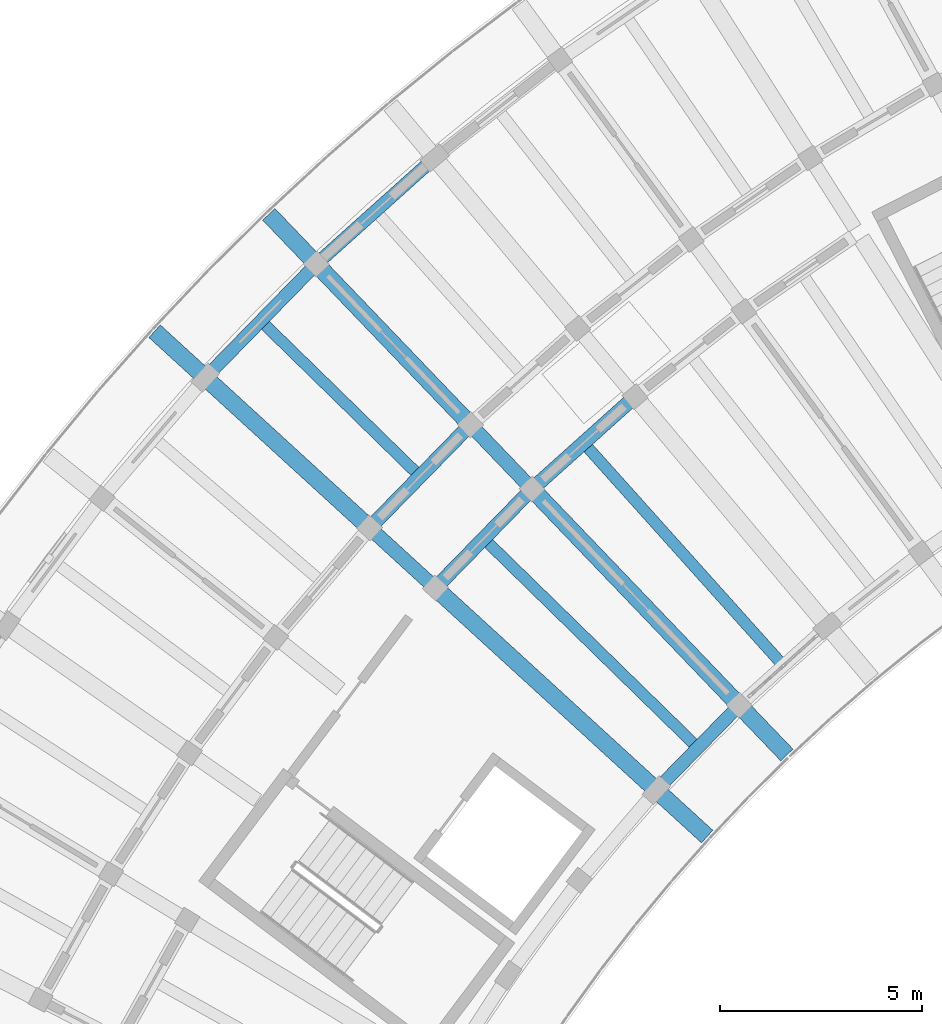
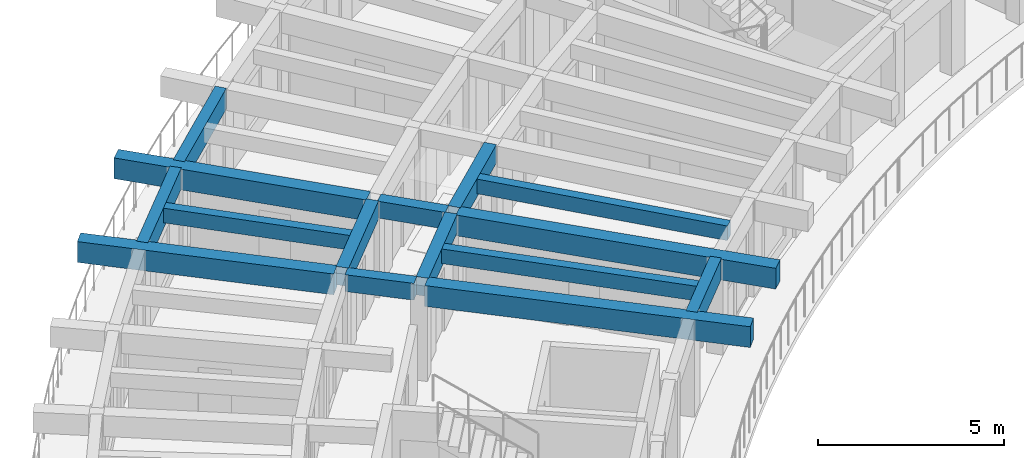
# One storey, part 3 of 19: 15 beams.
"""IFC4 building model written with IfcOpenShell, lengths in metres."""

from ifc_helpers import new_model, si_unit, direction, frame, origin, origin_2d, place, context, subcontext, project, spatial, rectangle, extrude, material, material_profile, profile_set, type_object, element, save


model = new_model("IFC4")

# Units and contexts
model_context = context("Model", 3, precision=1e-05, world=origin(), true_north=direction((0.0, 1.0)))
body_context = subcontext(model_context, "Body", "Model", "MODEL_VIEW")
ifc_project = project(units=[si_unit("LENGTHUNIT", "METRE"), si_unit("AREAUNIT", "SQUARE_METRE"), si_unit("VOLUMEUNIT", "CUBIC_METRE"), si_unit("PLANEANGLEUNIT", "RADIAN"), si_unit("MASSUNIT", "GRAM", prefix="KILO")], contexts=[model_context])

# Site, building, storey
site_placement = place(None, origin())
site = spatial("IfcSite", under=ifc_project, at=site_placement, CompositionType="ELEMENT")
building_placement = place(site_placement, origin())
building = spatial("IfcBuilding", under=site, at=building_placement, Name="Tanwirah Colonnade Gardens", CompositionType="ELEMENT")
storey_placement = place(building_placement, frame((0.0, 0.0, 45.800048828125)))
storey = spatial("IfcBuildingStorey", under=building, at=storey_placement, Name="L13", CompositionType="ELEMENT", Elevation=45.800048828125)

# Beams
ifc_material_1 = material(Name="Precast concrete C40/50", Category="concrete")
ifc_material_profile_1 = material_profile(ifc_material_1, rectangle(XDim=0.35009765625, YDim=0.550048828125, at=origin_2d()), Name="PC-BM 350x550")
ifc_profile_set_1 = profile_set([ifc_material_profile_1], Name="Precast concrete C40/50")
beam_type_1 = type_object("IfcBeamType", Name="BM-PC350A", PredefinedType="BEAM", material=ifc_profile_set_1)
beam_1_placement = place(storey_placement, frame((29.023193359375, 97.74560546875, 2.844970703125), z_axis=(-0.691913735329, 0.721980181766, 0.0), x_axis=(-0.721980181766, -0.691913735329, 0.0)))
element("IfcBeam", 1, at=beam_1_placement, inside=storey, type_object=beam_type_1, Name="Block A L13 Corridor Tie Beam 10", PredefinedType="BEAM", context=body_context, shape_type="SweptSolid", body=[
    extrude(rectangle(XDim=0.35009765625, YDim=0.550048828125, at=origin_2d()), origin(), (0.0, 0.0, 1.0), 1.900146484375),
])
beam_2_placement = place(storey_placement, frame((26.62744140625, 95.29345703125, 2.844970703125), z_axis=(-0.737948361517, 0.674857181732, 0.0), x_axis=(-0.674857181732, -0.737948361517, 0.0)))
element("IfcBeam", 2, at=beam_2_placement, inside=storey, type_object=beam_type_1, Name="Block A L13 Corridor Tie Beam 11", PredefinedType="BEAM", context=body_context, shape_type="SweptSolid", body=[
    extrude(rectangle(XDim=0.35009765625, YDim=0.550048828125, at=origin_2d()), origin(), (0.0, 0.0, 1.0), 1.89990234375),
])
ifc_material_profile_2 = material_profile(ifc_material_1, rectangle(XDim=0.35009765625, YDim=0.60009765625, at=origin_2d()), Name="PC-BM 350x600")
ifc_profile_set_2 = profile_set([ifc_material_profile_2], Name="Precast concrete C40/50")
beam_type_2 = type_object("IfcBeamType", Name="BM-PC350B", PredefinedType="BEAM", material=ifc_profile_set_2)
beam_3_placement = place(storey_placement, frame((31.559814453125, 99.8193359375, 2.820068359375), z_axis=(-0.744429866059, -0.667700662363, 0.0), x_axis=(0.667700662363, -0.744429866059, 0.0)))
element("IfcBeam", 3, at=beam_3_placement, inside=storey, type_object=beam_type_2, Name="Block A L13 Circumferential Beam 9-R1", PredefinedType="BEAM", context=body_context, shape_type="SweptSolid", body=[
    extrude(rectangle(XDim=0.35009765625, YDim=0.60009765625, at=origin_2d()), origin(), (0.0, 0.0, 1.0), 3.1181640625),
])
beam_4_placement = place(storey_placement, frame((29.02197265625, 97.52978515625, 2.820068359375), z_axis=(-0.698837366631, -0.715280598787, 0.0), x_axis=(0.715280598787, -0.698837366631, 0.0)))
element("IfcBeam", 4, at=beam_4_placement, inside=storey, type_object=beam_type_2, Name="Block A L13 Circumferential Beam 10-R1", PredefinedType="BEAM", context=body_context, shape_type="SweptSolid", body=[
    extrude(rectangle(XDim=0.35009765625, YDim=0.60009765625, at=origin_2d()), origin(), (0.0, 0.0, 1.0), 3.117919921875),
])
beam_5_placement = place(storey_placement, frame((27.5, 99.118408203125, 2.820068359375), z_axis=(-0.698829447339, -0.71528833594, 0.0), x_axis=(0.71528833594, -0.698829447339, 0.0)))
element("IfcBeam", 5, at=beam_5_placement, inside=storey, type_object=beam_type_2, Name="Block A L13 Circumferential Beam 10-R2", PredefinedType="BEAM", context=body_context, shape_type="SweptSolid", body=[
    extrude(rectangle(XDim=0.35009765625, YDim=0.60009765625, at=origin_2d()), origin(), (0.0, 0.0, 1.0), 3.263427734375),
])
ifc_material_2 = material(Name="Precast concrete C45/55", Category="concrete")
ifc_material_profile_3 = material_profile(ifc_material_2, rectangle(XDim=0.419921875, YDim=0.679931640625, at=origin_2d()), Name="PC-BM 420x680")
ifc_profile_set_3 = profile_set([ifc_material_profile_3], Name="Precast concrete C45/55")
beam_type_3 = type_object("IfcBeamType", Name="BM-PC420", PredefinedType="BEAM", material=ifc_profile_set_3)
beam_6_placement = place(storey_placement, frame((29.230712890625, 97.52880859375, 2.780029296875), z_axis=(0.691860926595, -0.722030787606, 0.0), x_axis=(0.722030787606, 0.691860926595, 0.0)))
element("IfcBeam", 6, at=beam_6_placement, inside=storey, type_object=beam_type_3, Name="Block A L13 Inner Radial Precast Girder 10", PredefinedType="BEAM", context=body_context, shape_type="SweptSolid", body=[
    extrude(rectangle(XDim=0.419921875, YDim=0.679931640625, at=origin_2d()), origin(), (0.0, 0.0, 1.0), 8.949951171875),
])
beam_7_placement = place(storey_placement, frame((27.5009765625, 99.333984375, 2.780029296875), z_axis=(-0.691864746793, 0.722027127015, 0.0), x_axis=(-0.722027127015, -0.691864746793, 0.0)))
element("IfcBeam", 7, at=beam_7_placement, inside=storey, type_object=beam_type_3, Name="Block A L13 Outer Radial Precast Girder 10", PredefinedType="BEAM", context=body_context, shape_type="SweptSolid", body=[
    extrude(rectangle(XDim=0.419921875, YDim=0.679931640625, at=origin_2d()), origin(), (0.0, 0.0, 1.0), 7.050048828125),
])
beam_8_placement = place(storey_placement, frame((26.848876953125, 95.091064453125, 2.780029296875), z_axis=(0.737937205818, -0.674869380154, 0.0), x_axis=(0.674869380154, 0.737937205818, 0.0)))
element("IfcBeam", 8, at=beam_8_placement, inside=storey, type_object=beam_type_3, Name="Block A L13 Inner Radial Precast Girder 11", PredefinedType="BEAM", context=body_context, shape_type="SweptSolid", body=[
    extrude(rectangle(XDim=0.419921875, YDim=0.679931640625, at=origin_2d()), origin(), (0.0, 0.0, 1.0), 8.949951171875),
])
beam_9_placement = place(storey_placement, frame((25.004150390625, 96.7783203125, 2.780029296875), z_axis=(-0.737934199263, 0.674872667663, 0.0), x_axis=(-0.674872667663, -0.737934199263, 0.0)))
element("IfcBeam", 9, at=beam_9_placement, inside=storey, type_object=beam_type_3, Name="Block A L13 Outer Radial Precast Girder 11", PredefinedType="BEAM", context=body_context, shape_type="SweptSolid", body=[
    extrude(rectangle(XDim=0.419921875, YDim=0.679931640625, at=origin_2d()), origin(), (0.0, 0.0, 1.0), 7.050048828125),
])
ifc_material_profile_4 = material_profile(ifc_material_1, rectangle(XDim=0.280029296875, YDim=0.47998046875, at=origin_2d()), Name="PC-JST 280x480")
ifc_profile_set_4 = profile_set([ifc_material_profile_4], Name="Precast concrete C40/50")
beam_type_4 = type_object("IfcBeamType", Name="JST-PC280", PredefinedType="JOIST", material=ifc_profile_set_4)
beam_10_placement = place(storey_placement, frame((35.2412109375, 93.379638671875, 2.8798828125), z_axis=(-0.667688404274, 0.744440860511, 0.0), x_axis=(-0.744440860511, -0.667688404274, 0.0)))
element("IfcBeam", 10, at=beam_10_placement, inside=storey, type_object=beam_type_4, Name="Block A L13 Inner Precast Floor Joist 9", PredefinedType="JOIST", context=body_context, shape_type="SweptSolid", body=[
    extrude(rectangle(XDim=0.280029296875, YDim=0.47998046875, at=origin_2d()), origin(), (0.0, 0.0, 1.0), 7.16015625),
])
beam_11_placement = place(storey_placement, frame((26.2529296875, 98.0556640625, 2.8798828125), z_axis=(-0.715297399369, 0.698820170327, 0.0), x_axis=(-0.698820170327, -0.715297399369, 0.0)))
element("IfcBeam", 11, at=beam_11_placement, inside=storey, type_object=beam_type_4, Name="Block A L13 Precast Floor Joist 10", PredefinedType="JOIST", context=body_context, shape_type="SweptSolid", body=[
    extrude(rectangle(XDim=0.280029296875, YDim=0.47998046875, at=origin_2d()), origin(), (0.0, 0.0, 1.0), 5.260009765625),
])
beam_12_placement = place(storey_placement, frame((33.11962890625, 91.346923828125, 2.8798828125), z_axis=(-0.715276680509, 0.698841377081, 0.0), x_axis=(-0.698841377081, -0.715276680509, 0.0)))
element("IfcBeam", 12, at=beam_12_placement, inside=storey, type_object=beam_type_4, Name="Block A L13 Inner Precast Floor Joist 10", PredefinedType="JOIST", context=body_context, shape_type="SweptSolid", body=[
    extrude(rectangle(XDim=0.280029296875, YDim=0.47998046875, at=origin_2d()), origin(), (0.0, 0.0, 1.0), 7.159912109375),
])
ifc_material_profile_5 = material_profile(ifc_material_2, rectangle(XDim=0.320068359375, YDim=0.679931640625, at=origin_2d()), Name="PC-SP 320x680")
ifc_profile_set_5 = profile_set([ifc_material_profile_5], Name="Precast concrete C45/55")
beam_type_5 = type_object("IfcBeamType", Name="SP-PC320", PredefinedType="SPANDREL", material=ifc_profile_set_5)
beam_13_placement = place(storey_placement, frame((26.6103515625, 105.7177734375, 2.780029296875), z_axis=(-0.744444790955, -0.667684021989, 0.0), x_axis=(0.667684021989, -0.744444790955, 0.0)))
element("IfcBeam", 13, at=beam_13_placement, inside=storey, type_object=beam_type_5, Name="Block A L13 Circumferential Beam 9-R3", PredefinedType="SPANDREL", context=body_context, shape_type="SweptSolid", body=[
    extrude(rectangle(XDim=0.320068359375, YDim=0.679931640625, at=origin_2d()), origin(), (0.0, 0.0, 1.0), 3.625732421875),
])
beam_14_placement = place(storey_placement, frame((34.141845703125, 92.186767578125, 2.780029296875), z_axis=(-0.698844462704, -0.715273665772, 0.0), x_axis=(0.715273665772, -0.698844462704, 0.0)))
element("IfcBeam", 14, at=beam_14_placement, inside=storey, type_object=beam_type_5, Name="Block A L13 Circumferential Beam 10-R0", PredefinedType="SPANDREL", context=body_context, shape_type="SweptSolid", body=[
    extrude(rectangle(XDim=0.320068359375, YDim=0.679931640625, at=origin_2d()), origin(), (0.0, 0.0, 1.0), 2.630126953125),
])
beam_15_placement = place(storey_placement, frame((23.69482421875, 103.089599609375, 2.780029296875), z_axis=(-0.698844493997, -0.715273635199, 0.0), x_axis=(0.715273635199, -0.698844493997, 0.0)))
element("IfcBeam", 15, at=beam_15_placement, inside=storey, type_object=beam_type_5, Name="Block A L13 Circumferential Beam 10-R3", PredefinedType="SPANDREL", context=body_context, shape_type="SweptSolid", body=[
    extrude(rectangle(XDim=0.320068359375, YDim=0.679931640625, at=origin_2d()), origin(), (0.0, 0.0, 1.0), 3.6259765625),
])

save(model, "model.ifc")
